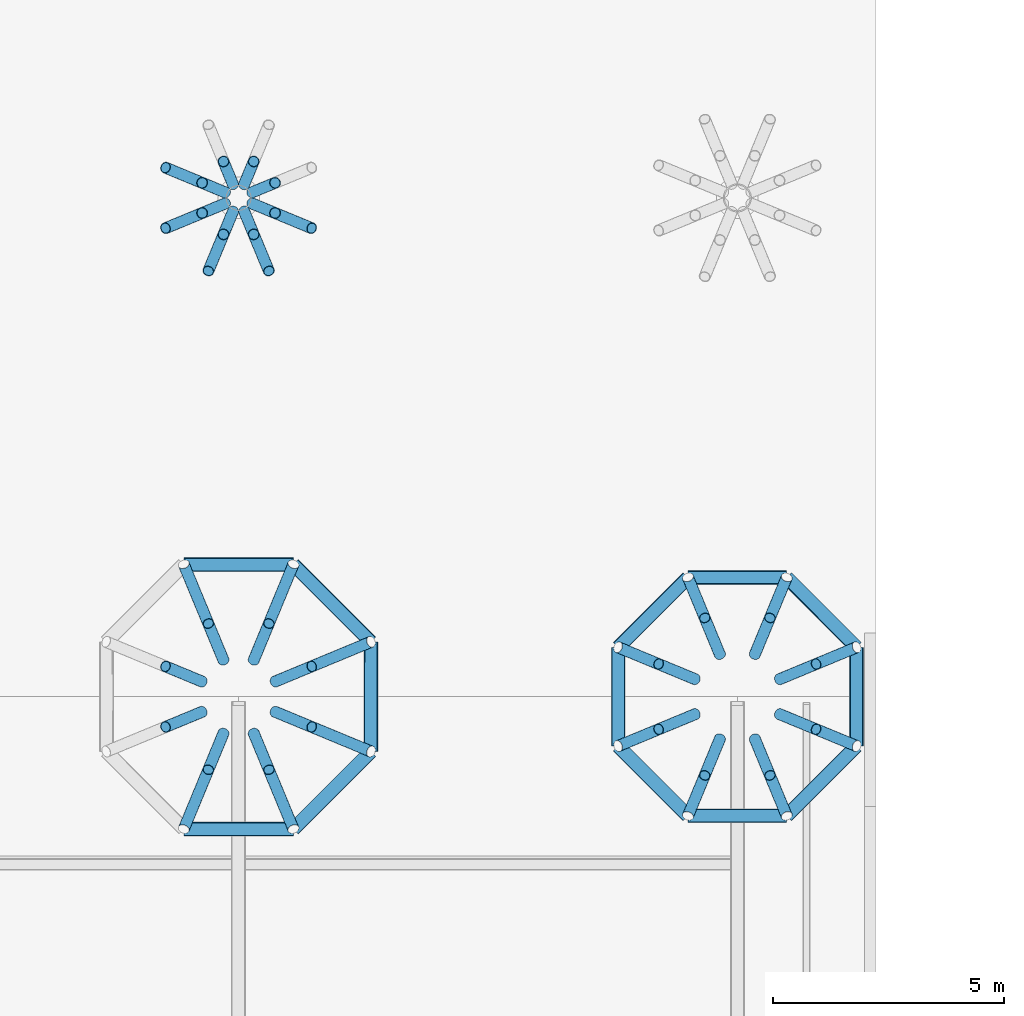
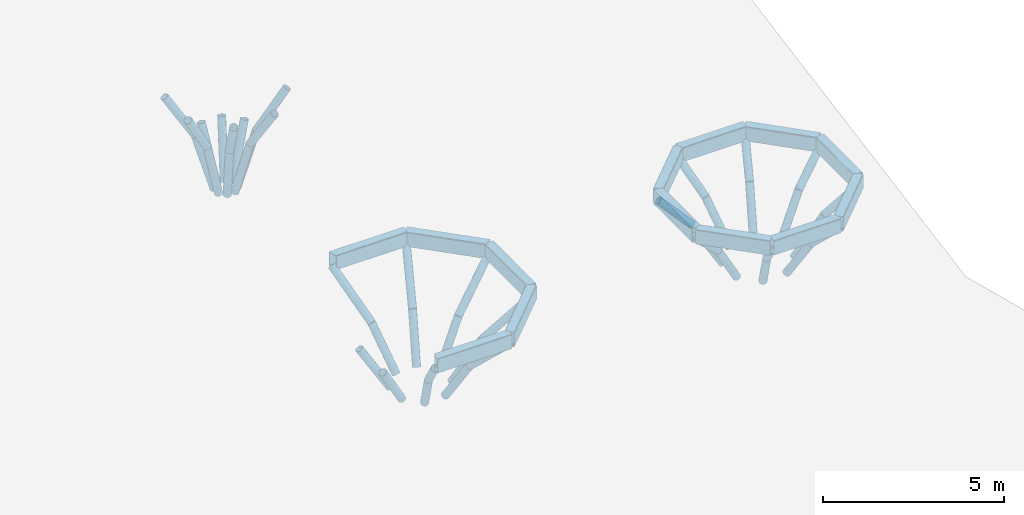
# One storey, part 18 of 56: 43 members, 13 beams.
"""IFC4 building model written with IfcOpenShell, lengths in metres."""

from ifc_helpers import new_model, si_unit, direction, frame, origin, origin_2d, place, context, subcontext, project, spatial, hollow_rectangle, hollow_circle, extrude, clip, halfspace, material, material_profile, profile_set, type_object, element, save


model = new_model("IFC4")

# Units and contexts
model_context = context("Model", 3, precision=1e-05, world=origin(), true_north=direction((0.0, 1.0)))
body_context = subcontext(model_context, "Body", "Model", "MODEL_VIEW")
ifc_project = project(units=[si_unit("LENGTHUNIT", "METRE"), si_unit("AREAUNIT", "SQUARE_METRE"), si_unit("VOLUMEUNIT", "CUBIC_METRE"), si_unit("PLANEANGLEUNIT", "RADIAN"), si_unit("MASSUNIT", "GRAM", prefix="KILO")], contexts=[model_context])

# Site, building, storey
site_placement = place(None, origin())
site = spatial("IfcSite", under=ifc_project, at=site_placement, CompositionType="ELEMENT")
building_placement = place(site_placement, origin())
building = spatial("IfcBuilding", under=site, at=building_placement, Name="Magnolia Steps Interchange", CompositionType="ELEMENT")
storey_placement = place(building_placement, frame((0.0, 0.0, 8.699951171875)))
storey = spatial("IfcBuildingStorey", under=building, at=storey_placement, Name="L02", CompositionType="ELEMENT", Elevation=8.699951171875)

# Beams
ifc_material_1 = material(Name="Steel Q355B", Category="steel")
ifc_material_profile_1 = material_profile(ifc_material_1, hollow_rectangle(XDim=0.300048828125, YDim=0.5, WallThickness=0.01611328125, InnerFilletRadius=0.01611328125, OuterFilletRadius=0.031982421875, at=origin_2d()), Name="RHS500x300x16")
ifc_profile_set_1 = profile_set([ifc_material_profile_1], Name="Steel Q355B")
beam_type = type_object("IfcBeamType", Name="Ring beam RHS500x300x16", PredefinedType="BEAM", material=ifc_profile_set_1)
beam_1_placement = place(storey_placement, frame((110.06396484375, 54.38623046875, 3.424560546875), z_axis=(-0.707106781187, 0.707106781187, 0.0), x_axis=(-0.707106781187, -0.707106781187, 0.0)))
element("IfcBeam", 1, at=beam_1_placement, inside=storey, type_object=beam_type, Name="Ring beam TH06B", PredefinedType="BEAM", context=body_context, shape_type="Clipping", body=[
    clip(clip(extrude(hollow_rectangle(XDim=0.300048828125, YDim=0.5, WallThickness=0.01611328125, InnerFilletRadius=0.01611328125, OuterFilletRadius=0.031982421875, at=origin_2d()), origin(), (0.0, 0.0, 1.0), 2.37255859375), halfspace(frame((0.0, 0.0, 0.0), z_axis=(0.382683433, 0.0, -0.923879532), x_axis=(0.923879532, 0.0, 0.382683433)), False)), halfspace(frame((0.0, 0.0, 2.372674707), z_axis=(0.382683433, 0.0, 0.923879532), x_axis=(0.923879532, 0.0, -0.382683433)), False)),
])
for number, where, z_axis, x_axis, name in (
    (2, (108.38623046875, 56.06396484375, 3.424560546875), (-1.0, 0.0, 0.0), (0.0, -1.0, 0.0), "Ring beam TH06B"),
    (3, (106.013671875, 50.3359375, 3.424560546875), (1.0, 0.0, 0.0), (0.0, 1.0, 0.0), "Ring beam TH06B"),
):
    element("IfcBeam", number, at=place(storey_placement, frame(where, z_axis=z_axis, x_axis=x_axis)), inside=storey, type_object=beam_type, Name=name, PredefinedType="BEAM", context=body_context, shape_type="Clipping", body=[
        clip(clip(extrude(hollow_rectangle(XDim=0.300048828125, YDim=0.5, WallThickness=0.01611328125, InnerFilletRadius=0.01611328125, OuterFilletRadius=0.031982421875, at=origin_2d()), origin(), (0.0, 0.0, 1.0), 2.37255859375), halfspace(frame((0.0, 0.0, 0.0), z_axis=(0.382683432, 0.0, -0.923879533), x_axis=(0.923879533, 0.0, 0.382683432)), False)), halfspace(frame((0.0, 0.0, 2.372558594), z_axis=(0.382683432, 0.0, 0.923879533), x_axis=(0.923879533, 0.0, -0.382683432)), False)),
    ])
beam_2_placement = place(storey_placement, frame((108.38623046875, 50.3359375, 3.424560546875), z_axis=(0.707106781187, 0.707106781187, 0.0), x_axis=(-0.707106781187, 0.707106781187, 0.0)))
element("IfcBeam", 4, at=beam_2_placement, inside=storey, type_object=beam_type, Name="Ring beam TH06B", PredefinedType="BEAM", context=body_context, shape_type="Clipping", body=[
    clip(clip(extrude(hollow_rectangle(XDim=0.300048828125, YDim=0.5, WallThickness=0.01611328125, InnerFilletRadius=0.01611328125, OuterFilletRadius=0.031982421875, at=origin_2d()), origin(), (0.0, 0.0, 1.0), 2.37255859375), halfspace(frame((0.0, 0.0, 0.0), z_axis=(0.382683433, 0.0, -0.923879532), x_axis=(0.923879532, 0.0, 0.382683433)), False)), halfspace(frame((0.0, 0.0, 2.372674707), z_axis=(0.382683433, 0.0, 0.923879532), x_axis=(0.923879532, 0.0, -0.382683433)), False)),
])
beam_3_placement = place(storey_placement, frame((110.06396484375, 52.013671875, 3.424560546875), z_axis=(0.0, 1.0, 0.0), x_axis=(-1.0, 0.0, 0.0)))
element("IfcBeam", 5, at=beam_3_placement, inside=storey, type_object=beam_type, Name="Ring beam TH06B", PredefinedType="BEAM", context=body_context, shape_type="Clipping", body=[
    clip(clip(extrude(hollow_rectangle(XDim=0.300048828125, YDim=0.5, WallThickness=0.01611328125, InnerFilletRadius=0.01611328125, OuterFilletRadius=0.031982421875, at=origin_2d()), origin(), (0.0, 0.0, 1.0), 2.37255859375), halfspace(frame((0.0, 0.0, 0.0), z_axis=(0.382683432, 0.0, -0.923879533), x_axis=(0.923879533, 0.0, 0.382683432)), False)), halfspace(frame((0.0, 0.0, 2.372558594), z_axis=(0.382683432, 0.0, 0.923879533), x_axis=(0.923879533, 0.0, -0.382683432)), False)),
])
beam_4_placement = place(storey_placement, frame((120.580078125, 54.268798828125, 3.424560546875), z_axis=(-0.707163891131, 0.707049666629, 0.0), x_axis=(-0.707049666629, -0.707163891131, 0.0)))
element("IfcBeam", 6, at=beam_4_placement, inside=storey, type_object=beam_type, Name="Ring beam TH07B", PredefinedType="BEAM", context=body_context, shape_type="Clipping", body=[
    clip(clip(extrude(hollow_rectangle(XDim=0.300048828125, YDim=0.5, WallThickness=0.01611328125, InnerFilletRadius=0.01611328125, OuterFilletRadius=0.031982421875, at=origin_2d()), origin(), (0.0, 0.0, 1.0), 2.137451171875), halfspace(frame((0.0, 0.0, 0.0), z_axis=(0.382758052, 0.0, -0.92384862), x_axis=(0.923848621, 0.0, 0.382758052)), False)), halfspace(frame((0.0, 0.0, 2.137375265), z_axis=(0.382608811, 0.0, 0.923910438), x_axis=(0.923910438, 0.0, -0.382608811)), False)),
])
beam_5_placement = place(storey_placement, frame((119.068603515625, 55.780029296875, 3.424560546875), z_axis=(-1.0, 0.0, 0.0), x_axis=(0.0, -1.0, 0.0)))
element("IfcBeam", 7, at=beam_5_placement, inside=storey, type_object=beam_type, Name="Ring beam TH07B", PredefinedType="BEAM", context=body_context, shape_type="Clipping", body=[
    clip(clip(extrude(hollow_rectangle(XDim=0.300048828125, YDim=0.5, WallThickness=0.01611328125, InnerFilletRadius=0.01611328125, OuterFilletRadius=0.031982421875, at=origin_2d()), origin(), (0.0, 0.0, 1.0), 2.13720703125), halfspace(frame((0.0, 0.0, 0.0), z_axis=(0.382683432, 0.0, -0.923879533), x_axis=(0.923879533, 0.0, 0.382683432)), False)), halfspace(frame((0.0, 0.0, 2.137207031), z_axis=(0.382683432, 0.0, 0.923879533), x_axis=(0.923879533, 0.0, -0.382683432)), False)),
])
beam_6_placement = place(storey_placement, frame((116.931396484375, 55.780029296875, 3.424560546875), z_axis=(-0.707163891131, -0.707049666629, 0.0), x_axis=(0.707049666629, -0.707163891131, 0.0)))
element("IfcBeam", 8, at=beam_6_placement, inside=storey, type_object=beam_type, Name="Ring beam TH07B", PredefinedType="BEAM", context=body_context, shape_type="Clipping", body=[
    clip(clip(extrude(hollow_rectangle(XDim=0.300048828125, YDim=0.5, WallThickness=0.01611328125, InnerFilletRadius=0.01611328125, OuterFilletRadius=0.031982421875, at=origin_2d()), origin(), (0.0, 0.0, 1.0), 2.137451171875), halfspace(frame((0.0, 0.0, 0.0), z_axis=(0.382608811, 0.0, -0.923910438), x_axis=(0.923910438, 0.0, 0.382608811)), False)), halfspace(frame((0.0, 0.0, 2.137375265), z_axis=(0.382758052, 0.0, 0.92384862), x_axis=(0.923848621, 0.0, -0.382758052)), False)),
])
beam_7_placement = place(storey_placement, frame((115.419921875, 54.268798828125, 3.424560546875), z_axis=(0.0, -1.0, 0.0), x_axis=(1.0, 0.0, 0.0)))
element("IfcBeam", 9, at=beam_7_placement, inside=storey, type_object=beam_type, Name="Ring beam TH07B", PredefinedType="BEAM", context=body_context, shape_type="Clipping", body=[
    clip(clip(extrude(hollow_rectangle(XDim=0.300048828125, YDim=0.5, WallThickness=0.01611328125, InnerFilletRadius=0.01611328125, OuterFilletRadius=0.031982421875, at=origin_2d()), origin(), (0.0, 0.0, 1.0), 2.137451171875), halfspace(frame((0.0, 0.0, 0.0), z_axis=(0.382683432, 0.0, -0.923879533), x_axis=(0.923879533, 0.0, 0.382683432)), False)), halfspace(frame((0.0, 0.0, 2.137451172), z_axis=(0.382683432, 0.0, 0.923879533), x_axis=(0.923879533, 0.0, -0.382683432)), False)),
])
beam_8_placement = place(storey_placement, frame((115.419921875, 52.13134765625, 3.424560546875), z_axis=(0.707163891131, -0.707049666629, 0.0), x_axis=(0.707049666629, 0.707163891131, 0.0)))
element("IfcBeam", 10, at=beam_8_placement, inside=storey, type_object=beam_type, Name="Ring beam TH07B", PredefinedType="BEAM", context=body_context, shape_type="Clipping", body=[
    clip(clip(extrude(hollow_rectangle(XDim=0.300048828125, YDim=0.5, WallThickness=0.01611328125, InnerFilletRadius=0.01611328125, OuterFilletRadius=0.031982421875, at=origin_2d()), origin(), (0.0, 0.0, 1.0), 2.137451171875), halfspace(frame((0.0, 0.0, 0.0), z_axis=(0.382758052, 0.0, -0.92384862), x_axis=(0.923848621, 0.0, 0.382758052)), False)), halfspace(frame((0.0, 0.0, 2.137375265), z_axis=(0.382608811, 0.0, 0.923910438), x_axis=(0.923910438, 0.0, -0.382608811)), False)),
])
beam_9_placement = place(storey_placement, frame((116.931396484375, 50.6201171875, 3.424560546875), z_axis=(1.0, 0.0, 0.0), x_axis=(0.0, 1.0, 0.0)))
element("IfcBeam", 11, at=beam_9_placement, inside=storey, type_object=beam_type, Name="Ring beam TH07B", PredefinedType="BEAM", context=body_context, shape_type="Clipping", body=[
    clip(clip(extrude(hollow_rectangle(XDim=0.300048828125, YDim=0.5, WallThickness=0.01611328125, InnerFilletRadius=0.01611328125, OuterFilletRadius=0.031982421875, at=origin_2d()), origin(), (0.0, 0.0, 1.0), 2.13720703125), halfspace(frame((0.0, 0.0, 0.0), z_axis=(0.382683432, 0.0, -0.923879533), x_axis=(0.923879533, 0.0, 0.382683432)), False)), halfspace(frame((0.0, 0.0, 2.137207031), z_axis=(0.382683432, 0.0, 0.923879533), x_axis=(0.923879533, 0.0, -0.382683432)), False)),
])
beam_10_placement = place(storey_placement, frame((119.068603515625, 50.6201171875, 3.424560546875), z_axis=(0.707163891131, 0.707049666629, 0.0), x_axis=(-0.707049666629, 0.707163891131, 0.0)))
element("IfcBeam", 12, at=beam_10_placement, inside=storey, type_object=beam_type, Name="Ring beam TH07B", PredefinedType="BEAM", context=body_context, shape_type="Clipping", body=[
    clip(clip(extrude(hollow_rectangle(XDim=0.300048828125, YDim=0.5, WallThickness=0.01611328125, InnerFilletRadius=0.01611328125, OuterFilletRadius=0.031982421875, at=origin_2d()), origin(), (0.0, 0.0, 1.0), 2.137451171875), halfspace(frame((0.0, 0.0, 0.0), z_axis=(0.382608811, 0.0, -0.923910438), x_axis=(0.923910438, 0.0, 0.382608811)), False)), halfspace(frame((0.0, 0.0, 2.137375265), z_axis=(0.382758052, 0.0, 0.92384862), x_axis=(0.923848621, 0.0, -0.382758052)), False)),
])
beam_11_placement = place(storey_placement, frame((120.580078125, 52.13134765625, 3.424560546875), z_axis=(0.0, 1.0, 0.0), x_axis=(-1.0, 0.0, 0.0)))
element("IfcBeam", 13, at=beam_11_placement, inside=storey, type_object=beam_type, Name="Ring beam TH07B", PredefinedType="BEAM", context=body_context, shape_type="Clipping", body=[
    clip(clip(extrude(hollow_rectangle(XDim=0.300048828125, YDim=0.5, WallThickness=0.01611328125, InnerFilletRadius=0.01611328125, OuterFilletRadius=0.031982421875, at=origin_2d()), origin(), (0.0, 0.0, 1.0), 2.137451171875), halfspace(frame((0.0, 0.0, 0.0), z_axis=(0.382683432, 0.0, -0.923879533), x_axis=(0.923879533, 0.0, 0.382683432)), False)), halfspace(frame((0.0, 0.0, 2.137451172), z_axis=(0.382683432, 0.0, 0.923879533), x_axis=(0.923879533, 0.0, -0.382683432)), False)),
])

# Members
ifc_material_2 = material(Name="Steel Q355B", Category="steel")
ifc_material_profile_2 = material_profile(ifc_material_2, hollow_circle(Radius=0.12255859375, WallThickness=0.011962890625, at=origin_2d()), Name="CHS245x12")
ifc_profile_set_2 = profile_set([ifc_material_profile_2], Name="Steel Q355B")
member_type = type_object("IfcMemberType", Name="Tree rib CHS245x12", PredefinedType="USERDEFINED", material=ifc_profile_set_2)
member_1_placement = place(storey_placement, frame((107.98974609375, 53.527099609375, 0.5615234375), z_axis=(0.489571014481, 0.202820124805, 0.848047297475), x_axis=(-0.382736860682, 0.923857399968, 0.0)))
element("IfcMember", 14, at=member_1_placement, inside=storey, type_object=member_type, Name="Tree rib TH06B", ObjectType="TREE RIB", PredefinedType="USERDEFINED", context=body_context, shape_type="SweptSolid", body=[
    extrude(hollow_circle(Radius=0.12255859375, WallThickness=0.011962890625, at=origin_2d()), origin(), (0.0, 0.0, 1.0), 1.6201171875),
])
member_2_placement = place(storey_placement, frame((108.782958984375, 53.855712890625, 1.935546875), z_axis=(0.664618271493, 0.27524595082, 0.694638193418), x_axis=(-0.382626535499, 0.923903097912, 0.0)))
element("IfcMember", 15, at=member_2_placement, inside=storey, type_object=member_type, Name="Tree rib TH06B", ObjectType="TREE RIB", PredefinedType="USERDEFINED", context=body_context, shape_type="SweptSolid", body=[
    extrude(hollow_circle(Radius=0.12255859375, WallThickness=0.011962890625, at=origin_2d()), origin(), (0.0, 0.0, 1.0), 1.927490234375),
])
member_3_placement = place(storey_placement, frame((107.527099609375, 53.98974609375, 0.5615234375), z_axis=(0.202820124805, 0.489571014481, 0.848047297475), x_axis=(-0.923857399968, 0.382736860682, 0.0)))
element("IfcMember", 16, at=member_3_placement, inside=storey, type_object=member_type, Name="Tree rib TH06B", ObjectType="TREE RIB", PredefinedType="USERDEFINED", context=body_context, shape_type="SweptSolid", body=[
    extrude(hollow_circle(Radius=0.12255859375, WallThickness=0.011962890625, at=origin_2d()), origin(), (0.0, 0.0, 1.0), 1.6201171875),
])
member_4_placement = place(storey_placement, frame((107.855712890625, 54.782958984375, 1.935546875), z_axis=(0.27524595082, 0.664618271493, 0.694638193418), x_axis=(-0.923903097912, 0.382626535499, 0.0)))
element("IfcMember", 17, at=member_4_placement, inside=storey, type_object=member_type, Name="Tree rib TH06B", ObjectType="TREE RIB", PredefinedType="USERDEFINED", context=body_context, shape_type="SweptSolid", body=[
    extrude(hollow_circle(Radius=0.12255859375, WallThickness=0.011962890625, at=origin_2d()), origin(), (0.0, 0.0, 1.0), 1.927490234375),
])
member_5_placement = place(storey_placement, frame((106.872802734375, 53.98974609375, 0.5615234375), z_axis=(-0.202820124805, 0.489571014481, 0.848047297475), x_axis=(-0.923857399968, -0.382736860682, 0.0)))
element("IfcMember", 18, at=member_5_placement, inside=storey, type_object=member_type, Name="Tree rib TH06B", ObjectType="TREE RIB", PredefinedType="USERDEFINED", context=body_context, shape_type="SweptSolid", body=[
    extrude(hollow_circle(Radius=0.12255859375, WallThickness=0.011962890625, at=origin_2d()), origin(), (0.0, 0.0, 1.0), 1.6201171875),
])
member_6_placement = place(storey_placement, frame((106.544189453125, 54.782958984375, 1.935546875), z_axis=(-0.27524595082, 0.664618271493, 0.694638193418), x_axis=(-0.923903097912, -0.382626535499, 0.0)))
element("IfcMember", 19, at=member_6_placement, inside=storey, type_object=member_type, Name="Tree rib TH06B", ObjectType="TREE RIB", PredefinedType="USERDEFINED", context=body_context, shape_type="SweptSolid", body=[
    extrude(hollow_circle(Radius=0.12255859375, WallThickness=0.011962890625, at=origin_2d()), origin(), (0.0, 0.0, 1.0), 1.927490234375),
])
for number, where, z_axis, x_axis, name in (
    (20, (106.41015625, 53.527099609375, 0.5615234375), (-0.489571014481, 0.202820124805, 0.848047297475), (-0.382736860682, -0.923857399968, 0.0), "Tree rib TH06B"),
    (21, (106.41015625, 52.872802734375, 0.5615234375), (-0.489571014481, -0.202820124805, 0.848047297475), (0.382736860682, -0.923857399968, 0.0), "Tree rib TH06B"),
    (22, (106.872802734375, 52.41015625, 0.5615234375), (-0.202820124805, -0.489571014481, 0.848047297475), (0.923857399968, -0.382736860682, 0.0), "Tree rib TH06B"),
):
    element("IfcMember", number, at=place(storey_placement, frame(where, z_axis=z_axis, x_axis=x_axis)), inside=storey, type_object=member_type, Name=name, ObjectType="TREE RIB", PredefinedType="USERDEFINED", context=body_context, shape_type="SweptSolid", body=[
        extrude(hollow_circle(Radius=0.12255859375, WallThickness=0.011962890625, at=origin_2d()), origin(), (0.0, 0.0, 1.0), 1.6201171875),
    ])
member_7_placement = place(storey_placement, frame((106.544189453125, 51.616943359375, 1.935546875), z_axis=(-0.27524595082, -0.664618271493, 0.694638193418), x_axis=(0.923903097912, -0.382626535499, 0.0)))
element("IfcMember", 23, at=member_7_placement, inside=storey, type_object=member_type, Name="Tree rib TH06B", ObjectType="TREE RIB", PredefinedType="USERDEFINED", context=body_context, shape_type="SweptSolid", body=[
    extrude(hollow_circle(Radius=0.12255859375, WallThickness=0.011962890625, at=origin_2d()), origin(), (0.0, 0.0, 1.0), 1.927490234375),
])
member_8_placement = place(storey_placement, frame((107.527099609375, 52.41015625, 0.5615234375), z_axis=(0.202820124805, -0.489571014481, 0.848047297475), x_axis=(0.923857399968, 0.382736860682, 0.0)))
element("IfcMember", 24, at=member_8_placement, inside=storey, type_object=member_type, Name="Tree rib TH06B", ObjectType="TREE RIB", PredefinedType="USERDEFINED", context=body_context, shape_type="SweptSolid", body=[
    extrude(hollow_circle(Radius=0.12255859375, WallThickness=0.011962890625, at=origin_2d()), origin(), (0.0, 0.0, 1.0), 1.6201171875),
])
member_9_placement = place(storey_placement, frame((107.855712890625, 51.616943359375, 1.935546875), z_axis=(0.27524595082, -0.664618271493, 0.694638193418), x_axis=(0.923903097912, 0.382626535499, 0.0)))
element("IfcMember", 25, at=member_9_placement, inside=storey, type_object=member_type, Name="Tree rib TH06B", ObjectType="TREE RIB", PredefinedType="USERDEFINED", context=body_context, shape_type="SweptSolid", body=[
    extrude(hollow_circle(Radius=0.12255859375, WallThickness=0.011962890625, at=origin_2d()), origin(), (0.0, 0.0, 1.0), 1.927490234375),
])
member_10_placement = place(storey_placement, frame((107.98974609375, 52.872802734375, 0.5615234375), z_axis=(0.489571014481, -0.202820124805, 0.848047297475), x_axis=(0.382736860682, 0.923857399968, 0.0)))
element("IfcMember", 26, at=member_10_placement, inside=storey, type_object=member_type, Name="Tree rib TH06B", ObjectType="TREE RIB", PredefinedType="USERDEFINED", context=body_context, shape_type="SweptSolid", body=[
    extrude(hollow_circle(Radius=0.12255859375, WallThickness=0.011962890625, at=origin_2d()), origin(), (0.0, 0.0, 1.0), 1.6201171875),
])
member_11_placement = place(storey_placement, frame((108.782958984375, 52.544189453125, 1.935546875), z_axis=(0.664618271493, -0.27524595082, 0.694638193418), x_axis=(0.382626535499, 0.923903097912, 0.0)))
element("IfcMember", 27, at=member_11_placement, inside=storey, type_object=member_type, Name="Tree rib TH06B", ObjectType="TREE RIB", PredefinedType="USERDEFINED", context=body_context, shape_type="SweptSolid", body=[
    extrude(hollow_circle(Radius=0.12255859375, WallThickness=0.011962890625, at=origin_2d()), origin(), (0.0, 0.0, 1.0), 1.927490234375),
])
for number, where, z_axis, x_axis, name in (
    (28, (107.4951171875, 64.122314453125, 0.670166015625), (0.254676188738, 0.105465608268, 0.961258052951), (-0.382606875641, 0.923911239629, 0.0), "Tree rib TH06C"),
    (29, (107.322265625, 64.295166015625, 0.670166015625), (0.105465608268, 0.254676188738, 0.961258052951), (-0.923911239629, 0.382606875641, 0.0), "Tree rib TH06C"),
    (30, (107.07763671875, 64.295166015625, 0.670166015625), (-0.105465608268, 0.254676188738, 0.961258052951), (-0.923911239629, -0.382606875641, 0.0), "Tree rib TH06C"),
    (31, (106.90478515625, 64.122314453125, 0.670166015625), (-0.254676188738, 0.105465608268, 0.961258052951), (-0.382606875641, -0.923911239629, 0.0), "Tree rib TH06C"),
):
    element("IfcMember", number, at=place(storey_placement, frame(where, z_axis=z_axis, x_axis=x_axis)), inside=storey, type_object=member_type, Name=name, ObjectType="TREE RIB", PredefinedType="USERDEFINED", context=body_context, shape_type="SweptSolid", body=[
        extrude(hollow_circle(Radius=0.12255859375, WallThickness=0.011962890625, at=origin_2d()), origin(), (0.0, 0.0, 1.0), 1.942138671875),
    ])
member_12_placement = place(storey_placement, frame((106.41015625, 64.3271484375, 2.537109375), z_axis=(-0.489571014481, 0.202820124805, 0.848047297475), x_axis=(-0.382736860682, -0.923857399968, 0.0)))
element("IfcMember", 32, at=member_12_placement, inside=storey, type_object=member_type, Name="Tree rib TH06C", ObjectType="TREE RIB", PredefinedType="USERDEFINED", context=body_context, shape_type="SweptSolid", body=[
    extrude(hollow_circle(Radius=0.12255859375, WallThickness=0.011962890625, at=origin_2d()), origin(), (0.0, 0.0, 1.0), 1.6201171875),
])
member_13_placement = place(storey_placement, frame((106.90478515625, 63.877685546875, 0.670166015625), z_axis=(-0.254676188738, -0.105465608268, 0.961258052951), x_axis=(0.382606875641, -0.923911239629, 0.0)))
element("IfcMember", 33, at=member_13_placement, inside=storey, type_object=member_type, Name="Tree rib TH06C", ObjectType="TREE RIB", PredefinedType="USERDEFINED", context=body_context, shape_type="SweptSolid", body=[
    extrude(hollow_circle(Radius=0.12255859375, WallThickness=0.011962890625, at=origin_2d()), origin(), (0.0, 0.0, 1.0), 1.942138671875),
])
member_14_placement = place(storey_placement, frame((106.41015625, 63.6728515625, 2.537109375), z_axis=(-0.489571014481, -0.202820124805, 0.848047297475), x_axis=(0.382736860682, -0.923857399968, 0.0)))
element("IfcMember", 34, at=member_14_placement, inside=storey, type_object=member_type, Name="Tree rib TH06C", ObjectType="TREE RIB", PredefinedType="USERDEFINED", context=body_context, shape_type="SweptSolid", body=[
    extrude(hollow_circle(Radius=0.12255859375, WallThickness=0.011962890625, at=origin_2d()), origin(), (0.0, 0.0, 1.0), 1.6201171875),
])
member_15_placement = place(storey_placement, frame((107.07763671875, 63.704833984375, 0.670166015625), z_axis=(-0.105465608268, -0.254676188738, 0.961258052951), x_axis=(0.923911239629, -0.382606875641, 0.0)))
element("IfcMember", 35, at=member_15_placement, inside=storey, type_object=member_type, Name="Tree rib TH06C", ObjectType="TREE RIB", PredefinedType="USERDEFINED", context=body_context, shape_type="SweptSolid", body=[
    extrude(hollow_circle(Radius=0.12255859375, WallThickness=0.011962890625, at=origin_2d()), origin(), (0.0, 0.0, 1.0), 1.942138671875),
])
member_16_placement = place(storey_placement, frame((106.872802734375, 63.210205078125, 2.537109375), z_axis=(-0.202820124805, -0.489571014481, 0.848047297475), x_axis=(0.923857399968, -0.382736860682, 0.0)))
element("IfcMember", 36, at=member_16_placement, inside=storey, type_object=member_type, Name="Tree rib TH06C", ObjectType="TREE RIB", PredefinedType="USERDEFINED", context=body_context, shape_type="SweptSolid", body=[
    extrude(hollow_circle(Radius=0.12255859375, WallThickness=0.011962890625, at=origin_2d()), origin(), (0.0, 0.0, 1.0), 1.6201171875),
])
member_17_placement = place(storey_placement, frame((107.322265625, 63.704833984375, 0.670166015625), z_axis=(0.105465608268, -0.254676188738, 0.961258052951), x_axis=(0.923911239629, 0.382606875641, 0.0)))
element("IfcMember", 37, at=member_17_placement, inside=storey, type_object=member_type, Name="Tree rib TH06C", ObjectType="TREE RIB", PredefinedType="USERDEFINED", context=body_context, shape_type="SweptSolid", body=[
    extrude(hollow_circle(Radius=0.12255859375, WallThickness=0.011962890625, at=origin_2d()), origin(), (0.0, 0.0, 1.0), 1.942138671875),
])
member_18_placement = place(storey_placement, frame((107.527099609375, 63.210205078125, 2.537109375), z_axis=(0.202820124805, -0.489571014481, 0.848047297475), x_axis=(0.923857399968, 0.382736860682, 0.0)))
element("IfcMember", 38, at=member_18_placement, inside=storey, type_object=member_type, Name="Tree rib TH06C", ObjectType="TREE RIB", PredefinedType="USERDEFINED", context=body_context, shape_type="SweptSolid", body=[
    extrude(hollow_circle(Radius=0.12255859375, WallThickness=0.011962890625, at=origin_2d()), origin(), (0.0, 0.0, 1.0), 1.6201171875),
])
member_19_placement = place(storey_placement, frame((107.4951171875, 63.877685546875, 0.670166015625), z_axis=(0.254676188738, -0.105465608268, 0.961258052951), x_axis=(0.382606875641, 0.923911239629, 0.0)))
element("IfcMember", 39, at=member_19_placement, inside=storey, type_object=member_type, Name="Tree rib TH06C", ObjectType="TREE RIB", PredefinedType="USERDEFINED", context=body_context, shape_type="SweptSolid", body=[
    extrude(hollow_circle(Radius=0.12255859375, WallThickness=0.011962890625, at=origin_2d()), origin(), (0.0, 0.0, 1.0), 1.942138671875),
])
for number, where, z_axis, x_axis, name in (
    (40, (107.98974609375, 63.6728515625, 2.537109375), (0.489571014481, -0.202820124805, 0.848047297475), (0.382736860682, 0.923857399968, 0.0), "Tree rib TH06C"),
    (41, (118.912109375, 53.57763671875, 0.986083984375), (0.489456434015, 0.202835086264, 0.848109855491), (-0.38283742983, 0.923815729635, 0.0), "Tree rib TH07B"),
):
    element("IfcMember", number, at=place(storey_placement, frame(where, z_axis=z_axis, x_axis=x_axis)), inside=storey, type_object=member_type, Name=name, ObjectType="TREE RIB", PredefinedType="USERDEFINED", context=body_context, shape_type="SweptSolid", body=[
        extrude(hollow_circle(Radius=0.12255859375, WallThickness=0.011962890625, at=origin_2d()), origin(), (0.0, 0.0, 1.0), 1.6201171875),
    ])
member_20_placement = place(storey_placement, frame((119.705078125, 53.90625, 2.360107421875), z_axis=(0.664669658214, 0.275400235058, 0.694527865517), x_axis=(-0.382784328718, 0.923837733418, 0.0)))
element("IfcMember", 42, at=member_20_placement, inside=storey, type_object=member_type, Name="Tree rib TH07B", ObjectType="TREE RIB", PredefinedType="USERDEFINED", context=body_context, shape_type="SweptSolid", body=[
    extrude(hollow_circle(Radius=0.12255859375, WallThickness=0.011962890625, at=origin_2d()), origin(), (0.0, 0.0, 1.0), 1.31640625),
])
member_21_placement = place(storey_placement, frame((118.377685546875, 54.112060546875, 0.986083984375), z_axis=(0.202820124805, 0.489571014481, 0.848047297475), x_axis=(-0.923857399968, 0.382736860682, 0.0)))
element("IfcMember", 43, at=member_21_placement, inside=storey, type_object=member_type, Name="Tree rib TH07B", ObjectType="TREE RIB", PredefinedType="USERDEFINED", context=body_context, shape_type="SweptSolid", body=[
    extrude(hollow_circle(Radius=0.12255859375, WallThickness=0.011962890625, at=origin_2d()), origin(), (0.0, 0.0, 1.0), 1.6201171875),
])
member_22_placement = place(storey_placement, frame((118.706298828125, 54.9052734375, 2.360107421875), z_axis=(0.275262764485, 0.664600057379, 0.694648957546), x_axis=(-0.92389112775, 0.382655437784, 0.0)))
element("IfcMember", 44, at=member_22_placement, inside=storey, type_object=member_type, Name="Tree rib TH07B", ObjectType="TREE RIB", PredefinedType="USERDEFINED", context=body_context, shape_type="SweptSolid", body=[
    extrude(hollow_circle(Radius=0.12255859375, WallThickness=0.011962890625, at=origin_2d()), origin(), (0.0, 0.0, 1.0), 1.316162109375),
])
member_23_placement = place(storey_placement, frame((117.622314453125, 54.112060546875, 0.986083984375), z_axis=(-0.202820124805, 0.489571014481, 0.848047297475), x_axis=(-0.923857399968, -0.382736860682, 0.0)))
element("IfcMember", 45, at=member_23_placement, inside=storey, type_object=member_type, Name="Tree rib TH07B", ObjectType="TREE RIB", PredefinedType="USERDEFINED", context=body_context, shape_type="SweptSolid", body=[
    extrude(hollow_circle(Radius=0.12255859375, WallThickness=0.011962890625, at=origin_2d()), origin(), (0.0, 0.0, 1.0), 1.6201171875),
])
member_24_placement = place(storey_placement, frame((117.293701171875, 54.9052734375, 2.360107421875), z_axis=(-0.275262764485, 0.664600057379, 0.694648957546), x_axis=(-0.92389112775, -0.382655437784, 0.0)))
element("IfcMember", 46, at=member_24_placement, inside=storey, type_object=member_type, Name="Tree rib TH07B", ObjectType="TREE RIB", PredefinedType="USERDEFINED", context=body_context, shape_type="SweptSolid", body=[
    extrude(hollow_circle(Radius=0.12255859375, WallThickness=0.011962890625, at=origin_2d()), origin(), (0.0, 0.0, 1.0), 1.316162109375),
])
member_25_placement = place(storey_placement, frame((117.087890625, 53.57763671875, 0.986083984375), z_axis=(-0.489456434015, 0.202835086264, 0.848109855491), x_axis=(-0.38283742983, -0.923815729635, 0.0)))
element("IfcMember", 47, at=member_25_placement, inside=storey, type_object=member_type, Name="Tree rib TH07B", ObjectType="TREE RIB", PredefinedType="USERDEFINED", context=body_context, shape_type="SweptSolid", body=[
    extrude(hollow_circle(Radius=0.12255859375, WallThickness=0.011962890625, at=origin_2d()), origin(), (0.0, 0.0, 1.0), 1.6201171875),
])
member_26_placement = place(storey_placement, frame((116.294921875, 53.90625, 2.360107421875), z_axis=(-0.664669658214, 0.275400235058, 0.694527865517), x_axis=(-0.382784328718, -0.923837733418, 0.0)))
element("IfcMember", 48, at=member_26_placement, inside=storey, type_object=member_type, Name="Tree rib TH07B", ObjectType="TREE RIB", PredefinedType="USERDEFINED", context=body_context, shape_type="SweptSolid", body=[
    extrude(hollow_circle(Radius=0.12255859375, WallThickness=0.011962890625, at=origin_2d()), origin(), (0.0, 0.0, 1.0), 1.31640625),
])
member_27_placement = place(storey_placement, frame((117.087890625, 52.822265625, 0.986083984375), z_axis=(-0.489456434015, -0.202835086264, 0.848109855491), x_axis=(0.38283742983, -0.923815729635, 0.0)))
element("IfcMember", 49, at=member_27_placement, inside=storey, type_object=member_type, Name="Tree rib TH07B", ObjectType="TREE RIB", PredefinedType="USERDEFINED", context=body_context, shape_type="SweptSolid", body=[
    extrude(hollow_circle(Radius=0.12255859375, WallThickness=0.011962890625, at=origin_2d()), origin(), (0.0, 0.0, 1.0), 1.6201171875),
])
member_28_placement = place(storey_placement, frame((116.294921875, 52.49365234375, 2.360107421875), z_axis=(-0.6647035969, -0.275228833092, 0.694563328792), x_axis=(0.382564297979, -0.923928870591, 0.0)))
element("IfcMember", 50, at=member_28_placement, inside=storey, type_object=member_type, Name="Tree rib TH07B", ObjectType="TREE RIB", PredefinedType="USERDEFINED", context=body_context, shape_type="SweptSolid", body=[
    extrude(hollow_circle(Radius=0.12255859375, WallThickness=0.011962890625, at=origin_2d()), origin(), (0.0, 0.0, 1.0), 1.31640625),
])
member_29_placement = place(storey_placement, frame((117.622314453125, 52.2880859375, 0.986083984375), z_axis=(-0.202820124805, -0.489571014481, 0.848047297475), x_axis=(0.923857399968, -0.382736860682, 0.0)))
element("IfcMember", 51, at=member_29_placement, inside=storey, type_object=member_type, Name="Tree rib TH07B", ObjectType="TREE RIB", PredefinedType="USERDEFINED", context=body_context, shape_type="SweptSolid", body=[
    extrude(hollow_circle(Radius=0.12255859375, WallThickness=0.011962890625, at=origin_2d()), origin(), (0.0, 0.0, 1.0), 1.6201171875),
])
member_30_placement = place(storey_placement, frame((117.293701171875, 51.494873046875, 2.360107421875), z_axis=(-0.275262764485, -0.664600057379, 0.694648957546), x_axis=(0.92389112775, -0.382655437784, 0.0)))
element("IfcMember", 52, at=member_30_placement, inside=storey, type_object=member_type, Name="Tree rib TH07B", ObjectType="TREE RIB", PredefinedType="USERDEFINED", context=body_context, shape_type="SweptSolid", body=[
    extrude(hollow_circle(Radius=0.12255859375, WallThickness=0.011962890625, at=origin_2d()), origin(), (0.0, 0.0, 1.0), 1.316162109375),
])
member_31_placement = place(storey_placement, frame((118.377685546875, 52.2880859375, 0.986083984375), z_axis=(0.202820124805, -0.489571014481, 0.848047297475), x_axis=(0.923857399968, 0.382736860682, 0.0)))
element("IfcMember", 53, at=member_31_placement, inside=storey, type_object=member_type, Name="Tree rib TH07B", ObjectType="TREE RIB", PredefinedType="USERDEFINED", context=body_context, shape_type="SweptSolid", body=[
    extrude(hollow_circle(Radius=0.12255859375, WallThickness=0.011962890625, at=origin_2d()), origin(), (0.0, 0.0, 1.0), 1.6201171875),
])
member_32_placement = place(storey_placement, frame((118.706298828125, 51.494873046875, 2.360107421875), z_axis=(0.275262764485, -0.664600057379, 0.694648957546), x_axis=(0.92389112775, 0.382655437784, 0.0)))
element("IfcMember", 54, at=member_32_placement, inside=storey, type_object=member_type, Name="Tree rib TH07B", ObjectType="TREE RIB", PredefinedType="USERDEFINED", context=body_context, shape_type="SweptSolid", body=[
    extrude(hollow_circle(Radius=0.12255859375, WallThickness=0.011962890625, at=origin_2d()), origin(), (0.0, 0.0, 1.0), 1.316162109375),
])
member_33_placement = place(storey_placement, frame((118.912109375, 52.822265625, 0.986083984375), z_axis=(0.489456434015, -0.202835086264, 0.848109855491), x_axis=(0.38283742983, 0.923815729635, 0.0)))
element("IfcMember", 55, at=member_33_placement, inside=storey, type_object=member_type, Name="Tree rib TH07B", ObjectType="TREE RIB", PredefinedType="USERDEFINED", context=body_context, shape_type="SweptSolid", body=[
    extrude(hollow_circle(Radius=0.12255859375, WallThickness=0.011962890625, at=origin_2d()), origin(), (0.0, 0.0, 1.0), 1.6201171875),
])
member_34_placement = place(storey_placement, frame((119.705078125, 52.49365234375, 2.360107421875), z_axis=(0.6647035969, -0.275228833092, 0.694563328792), x_axis=(0.382564297979, 0.923928870591, 0.0)))
element("IfcMember", 56, at=member_34_placement, inside=storey, type_object=member_type, Name="Tree rib TH07B", ObjectType="TREE RIB", PredefinedType="USERDEFINED", context=body_context, shape_type="SweptSolid", body=[
    extrude(hollow_circle(Radius=0.12255859375, WallThickness=0.011962890625, at=origin_2d()), origin(), (0.0, 0.0, 1.0), 1.31640625),
])

save(model, "model.ifc")
